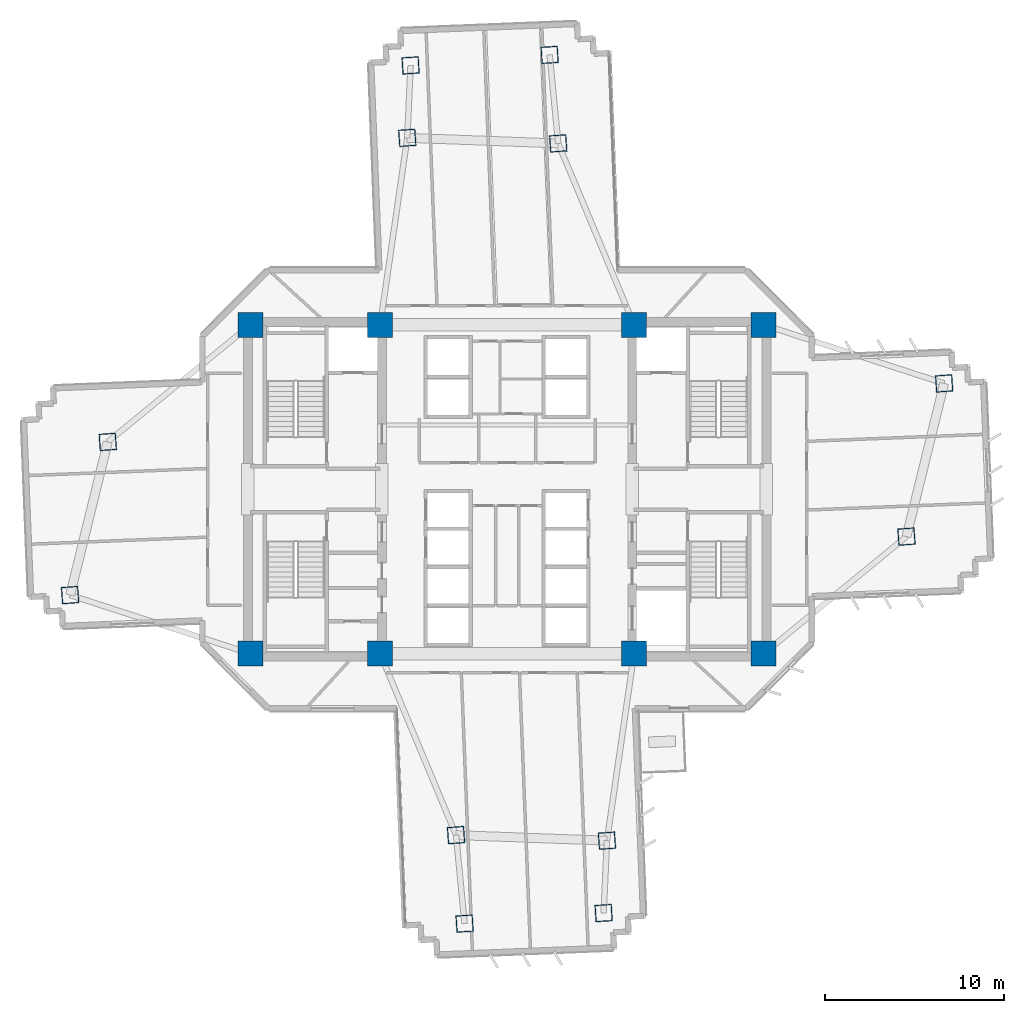
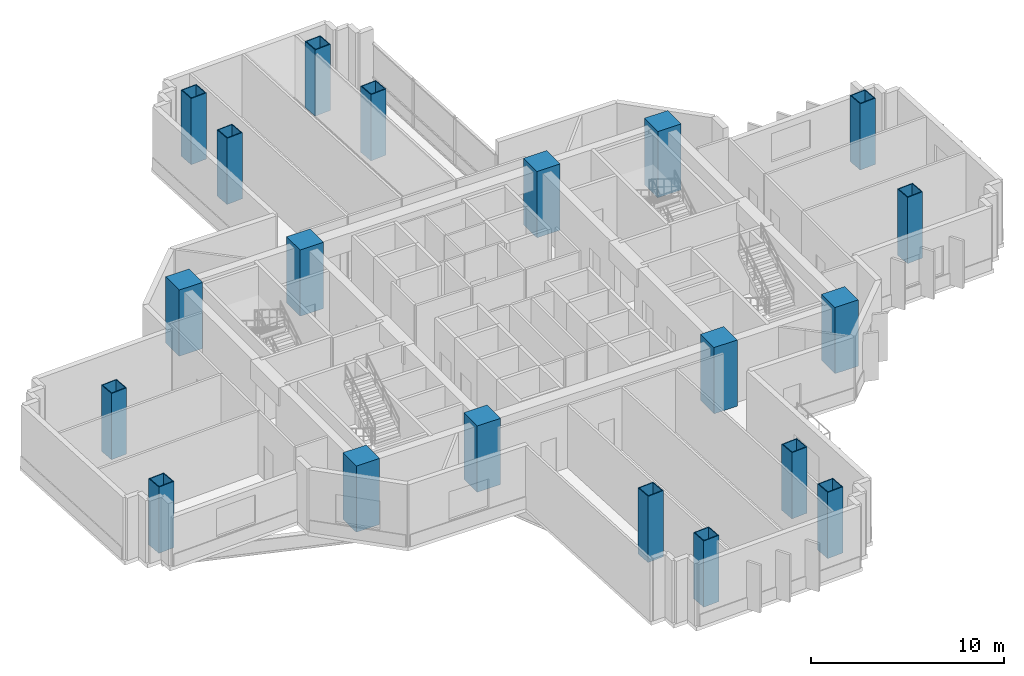
# One storey, part 1 of 16: 20 columns.
"""IFC4 building model written with IfcOpenShell, lengths in metres."""

from ifc_helpers import new_model, si_unit, direction, frame, origin, origin_2d, place, context, subcontext, project, spatial, rectangle, hollow_rectangle, extrude, source, transform, mapped, material, material_profile, profile_set, type_object, element, save


model = new_model("IFC4")

# Units and contexts
model_context = context("Model", 3, precision=1e-05, world=origin(), true_north=direction((0.0, 1.0)))
body_context = subcontext(model_context, "Body", "Model", "MODEL_VIEW")
ifc_project = project(units=[si_unit("LENGTHUNIT", "METRE"), si_unit("AREAUNIT", "SQUARE_METRE"), si_unit("VOLUMEUNIT", "CUBIC_METRE"), si_unit("PLANEANGLEUNIT", "RADIAN"), si_unit("MASSUNIT", "GRAM", prefix="KILO")], contexts=[model_context])

# Site, building, storey
site_placement = place(None, origin())
site = spatial("IfcSite", under=ifc_project, at=site_placement, CompositionType="ELEMENT")
building_placement = place(site_placement, origin())
building = spatial("IfcBuilding", under=site, at=building_placement, Name="Zahravan Cultural Tower", CompositionType="ELEMENT")
storey_placement = place(building_placement, frame((0.0, 0.0, 62.699951171875)))
storey = spatial("IfcBuildingStorey", under=building, at=storey_placement, Name="L13", CompositionType="ELEMENT", Elevation=62.699951171875)

# Columns
ifc_material_1 = material(Name="Concrete C60/75", Category="concrete")
ifc_material_profile_1 = material_profile(ifc_material_1, rectangle(XDim=1.39990234375, YDim=1.39990234375, at=origin_2d()), Name="RC1400X1400")
ifc_profile_set_1 = profile_set([ifc_material_profile_1], Name="Concrete C60/75")
column_type_1 = type_object("IfcColumnType", Name="COL-RC1400", PredefinedType="COLUMN", material=ifc_profile_set_1)
shared_shape_1 = source(origin(), body_context, "Body", "SweptSolid", [
    extrude(rectangle(XDim=1.39990234375, YDim=1.39990234375, at=origin_2d()), origin(), (0.0, 0.0, 1.0), 4.199951171875),
])
for number, where, z_axis, x_axis, name in (
    (1, (21.64990234375, 17.800048828125, 0.0), (0.0, 0.0, 1.0), (1.0, 0.0, 0.0), "L13 Column CC-W1"),
    (2, (28.89990234375, 17.800048828125, 0.0), (0.0, 0.0, 1.0), (1.0, 0.0, 0.0), "L13 Column CC-W2"),
    (3, (21.64990234375, 36.199951171875, 0.0), (0.0, 0.0, 1.0), (1.0, 0.0, 0.0), "L13 Column CC-W3"),
    (4, (28.89990234375, 36.199951171875, 0.0), (0.0, 0.0, 1.0), (1.0, 0.0, 0.0), "L13 Column CC-W4"),
    (5, (43.10009765625, 17.800048828125, 0.0), (0.0, 0.0, 1.0), (1.0, 0.0, 0.0), "L13 Column CC-E1"),
    (6, (50.35009765625, 17.800048828125, 0.0), (0.0, 0.0, 1.0), (1.0, 0.0, 0.0), "L13 Column CC-E2"),
    (7, (43.10009765625, 36.199951171875, 0.0), (0.0, 0.0, 1.0), (1.0, 0.0, 0.0), "L13 Column CC-E3"),
    (8, (50.35009765625, 36.199951171875, 0.0), (0.0, 0.0, 1.0), (1.0, 0.0, 0.0), "L13 Column CC-E4"),
):
    element("IfcColumn", number, at=place(storey_placement, frame(where, z_axis=z_axis, x_axis=x_axis)), inside=storey, type_object=column_type_1, Name=name, PredefinedType="COLUMN", context=body_context, shape_type="MappedRepresentation", body=[
        mapped(shared_shape_1, transform((0.0, 0.0, 0.0), x_axis=(1.0, 0.0, 0.0), y_axis=(0.0, 1.0, 0.0), z_axis=(0.0, 0.0, 1.0), scale=1.0)),
    ])
ifc_material_2 = material(Name="Steel ASTM A572 Grade 50", Category="steel")
ifc_material_profile_2 = material_profile(ifc_material_2, hollow_rectangle(XDim=0.949951171875, YDim=0.949951171875, WallThickness=0.050048828125, at=origin_2d()), Name="BOX950X950X50")
ifc_profile_set_2 = profile_set([ifc_material_profile_2], Name="Steel ASTM A572 Grade 50")
column_type_2 = type_object("IfcColumnType", Name="COL-BOX950", PredefinedType="COLUMN", material=ifc_profile_set_2)
shared_shape_2 = source(origin(), body_context, "Body", "SweptSolid", [
    extrude(hollow_rectangle(XDim=0.949951171875, YDim=0.949951171875, WallThickness=0.050048828125, at=origin_2d()), origin(), (0.0, 0.0, 1.0), 4.199951171875),
])
for number, where, z_axis, x_axis, name in (
    (9, (58.339111328125, 24.351806640625, 0.0), (0.0, 0.0, 1.0), (0.99756405026, 0.069756473744, 0.0), "L13 Column Z1C-E1"),
    (10, (60.446533203125, 32.919677734375, 0.0), (0.0, 0.0, 1.0), (0.99756405026, 0.069756473744, 0.0), "L13 Column Z1C-E2"),
    (11, (38.857421875, 46.346435546875, 0.0), (0.0, 0.0, 1.0), (-0.069756473744, 0.99756405026, 0.0), "L13 Column Z1C-N1"),
    (12, (30.4150390625, 46.658203125, 0.0), (0.0, 0.0, 1.0), (-0.069756473744, 0.99756405026, 0.0), "L13 Column Z1C-N2"),
    (13, (13.660888671875, 29.648193359375, 0.0), (0.0, 0.0, 1.0), (0.99756405026, 0.069756473744, 0.0), "L13 Column Z1C-W1"),
    (14, (11.553466796875, 21.080322265625, 0.0), (0.0, 0.0, 1.0), (0.99756405026, 0.069756473744, 0.0), "L13 Column Z1C-W2"),
    (15, (33.142578125, 7.653564453125, 0.0), (0.0, 0.0, 1.0), (-0.069756473744, 0.99756405026, 0.0), "L13 Column Z1C-S1"),
    (16, (41.5849609375, 7.341796875, 0.0), (0.0, 0.0, 1.0), (-0.069756473744, 0.99756405026, 0.0), "L13 Column Z1C-S2"),
    (17, (38.379150390625, 51.29736328125, 0.0), (0.0, 0.0, 1.0), (-0.062790519529, 0.998026728428, 0.0), "L13 Column Z1T-N1"),
    (18, (30.6005859375, 50.707763671875, 0.0), (0.0, 0.0, 1.0), (-0.062790519529, 0.998026728428, 0.0), "L13 Column Z1T-N2"),
    (19, (33.620849609375, 2.70263671875, 0.0), (0.0, 0.0, 1.0), (-0.062790519529, 0.998026728428, 0.0), "L13 Column Z1T-S1"),
    (20, (41.3994140625, 3.292236328125, 0.0), (0.0, 0.0, 1.0), (-0.062790519529, 0.998026728428, 0.0), "L13 Column Z1T-S2"),
):
    element("IfcColumn", number, at=place(storey_placement, frame(where, z_axis=z_axis, x_axis=x_axis)), inside=storey, type_object=column_type_2, Name=name, PredefinedType="COLUMN", context=body_context, shape_type="MappedRepresentation", body=[
        mapped(shared_shape_2, transform((0.0, 0.0, 0.0), x_axis=(1.0, 0.0, 0.0), y_axis=(0.0, 1.0, 0.0), z_axis=(0.0, 0.0, 1.0), scale=1.0)),
    ])

save(model, "model.ifc")
